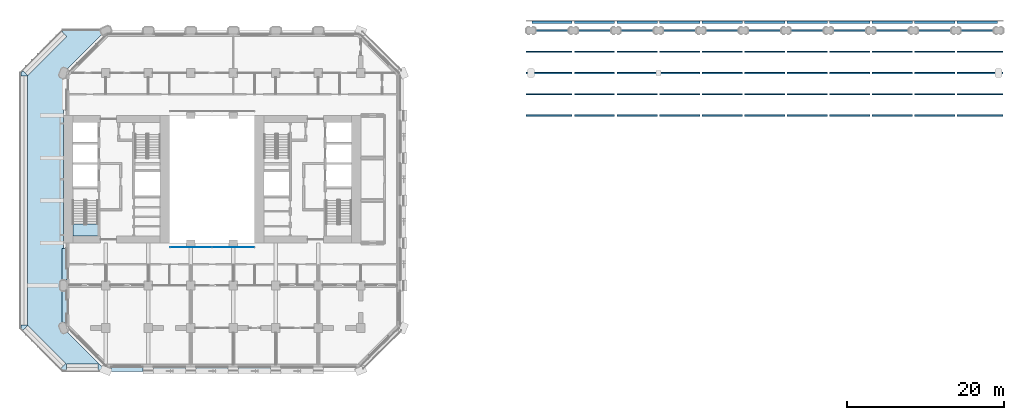
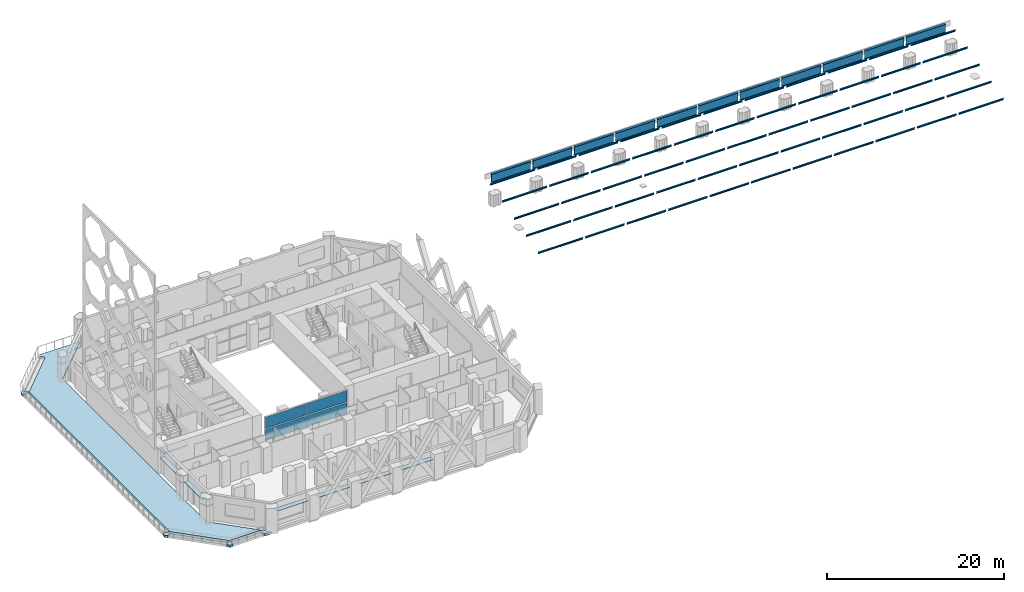
# One storey, part 5 of 14: 55 members, 11 beams, 10 plates, 2 slabs, 2 elements without a shape of their own.
"""IFC4 building model written with IfcOpenShell, lengths in metres."""

from ifc_helpers import new_model, si_unit, direction, frame, origin, origin_2d, place, context, subcontext, project, spatial, polyline, rectangle, i_section, outline, extrude, material, layer, layer_set, material_profile, profile_set, type_object, element, aggregate, save


model = new_model("IFC4")

# Units and contexts
model_context = context("Model", 3, precision=1e-05, world=origin(), true_north=direction((0.0, 1.0)))
body_context = subcontext(model_context, "Body", "Model", "MODEL_VIEW")
ifc_project = project(units=[si_unit("LENGTHUNIT", "METRE"), si_unit("AREAUNIT", "SQUARE_METRE"), si_unit("VOLUMEUNIT", "CUBIC_METRE"), si_unit("PLANEANGLEUNIT", "RADIAN"), si_unit("MASSUNIT", "GRAM", prefix="KILO")], contexts=[model_context])

# Site, building, storey
site_placement = place(None, origin())
site = spatial("IfcSite", under=ifc_project, at=site_placement, CompositionType="ELEMENT")
building_placement = place(site_placement, origin())
building = spatial("IfcBuilding", under=site, at=building_placement, Name="Tabaq Tower and Sports Hall", CompositionType="ELEMENT")
storey_placement = place(building_placement, frame((0.0, 0.0, 33.60009765625)))
storey = spatial("IfcBuildingStorey", under=building, at=storey_placement, Name="L06", CompositionType="ELEMENT", Elevation=33.60009765625)

# Beams
ifc_material_1 = material(Name="Steel S355", Category="steel")
ifc_material_profile_1 = material_profile(ifc_material_1, i_section(OverallWidth=0.300048828125, OverallDepth=1.199951171875, WebThickness=0.01611328125, FlangeThickness=0.030029296875, at=origin_2d()), Name="PG 1200x300x16x30")
ifc_profile_set_1 = profile_set([ifc_material_profile_1], Name="Steel S355")
beam_type = type_object("IfcBeamType", Name="HALL FASCIA BEAM PG 1200x300x16x30", PredefinedType="BEAM", material=ifc_profile_set_1)
beam_1_placement = place(storey_placement, frame((64.949951171875, 44.25, 2.856689453125), z_axis=(1.0, 0.0, 0.0), x_axis=(0.0, 1.0, 0.0)))
element("IfcBeam", 1, at=beam_1_placement, inside=storey, type_object=beam_type, Name="Roof fascia beam N01", PredefinedType="BEAM", context=body_context, shape_type="SweptSolid", body=[
    extrude(i_section(OverallWidth=0.300048828125, OverallDepth=1.199951171875, WebThickness=0.01611328125, FlangeThickness=0.030029296875, at=origin_2d()), origin(), (0.0, 0.0, 1.0), 5.10009765625),
])
beam_2_placement = place(storey_placement, frame((70.35009765625, 44.25, 2.856689453125), z_axis=(1.0, 0.0, 0.0), x_axis=(0.0, 1.0, 0.0)))
element("IfcBeam", 2, at=beam_2_placement, inside=storey, type_object=beam_type, Name="Roof fascia beam N02", PredefinedType="BEAM", context=body_context, shape_type="SweptSolid", body=[
    extrude(i_section(OverallWidth=0.300048828125, OverallDepth=1.199951171875, WebThickness=0.01611328125, FlangeThickness=0.030029296875, at=origin_2d()), origin(), (0.0, 0.0, 1.0), 5.099853515625),
])
for number, where, z_axis, x_axis, name in (
    (3, (75.75, 44.25, 2.856689453125), (1.0, 0.0, 0.0), (0.0, 1.0, 0.0), "Roof fascia beam N03"),
    (4, (81.14990234375, 44.25, 2.856689453125), (1.0, 0.0, 0.0), (0.0, 1.0, 0.0), "Roof fascia beam N04"),
):
    element("IfcBeam", number, at=place(storey_placement, frame(where, z_axis=z_axis, x_axis=x_axis)), inside=storey, type_object=beam_type, Name=name, PredefinedType="BEAM", context=body_context, shape_type="SweptSolid", body=[
        extrude(i_section(OverallWidth=0.300048828125, OverallDepth=1.199951171875, WebThickness=0.01611328125, FlangeThickness=0.030029296875, at=origin_2d()), origin(), (0.0, 0.0, 1.0), 5.10009765625),
    ])
beam_3_placement = place(storey_placement, frame((86.550048828125, 44.25, 2.856689453125), z_axis=(1.0, 0.0, 0.0), x_axis=(0.0, 1.0, 0.0)))
element("IfcBeam", 5, at=beam_3_placement, inside=storey, type_object=beam_type, Name="Roof fascia beam N05", PredefinedType="BEAM", context=body_context, shape_type="SweptSolid", body=[
    extrude(i_section(OverallWidth=0.300048828125, OverallDepth=1.199951171875, WebThickness=0.01611328125, FlangeThickness=0.030029296875, at=origin_2d()), origin(), (0.0, 0.0, 1.0), 5.099853515625),
])
beam_4_placement = place(storey_placement, frame((91.949951171875, 44.25, 2.856689453125), z_axis=(1.0, 0.0, 0.0), x_axis=(0.0, 1.0, 0.0)))
element("IfcBeam", 6, at=beam_4_placement, inside=storey, type_object=beam_type, Name="Roof fascia beam N06", PredefinedType="BEAM", context=body_context, shape_type="SweptSolid", body=[
    extrude(i_section(OverallWidth=0.300048828125, OverallDepth=1.199951171875, WebThickness=0.01611328125, FlangeThickness=0.030029296875, at=origin_2d()), origin(), (0.0, 0.0, 1.0), 5.10009765625),
])
beam_5_placement = place(storey_placement, frame((97.35009765625, 44.25, 2.856689453125), z_axis=(1.0, 0.0, 0.0), x_axis=(0.0, 1.0, 0.0)))
element("IfcBeam", 7, at=beam_5_placement, inside=storey, type_object=beam_type, Name="Roof fascia beam N07", PredefinedType="BEAM", context=body_context, shape_type="SweptSolid", body=[
    extrude(i_section(OverallWidth=0.300048828125, OverallDepth=1.199951171875, WebThickness=0.01611328125, FlangeThickness=0.030029296875, at=origin_2d()), origin(), (0.0, 0.0, 1.0), 5.099853515625),
])
for number, where, z_axis, x_axis, name in (
    (8, (102.75, 44.25, 2.856689453125), (1.0, 0.0, 0.0), (0.0, 1.0, 0.0), "Roof fascia beam N08"),
    (9, (108.14990234375, 44.25, 2.856689453125), (1.0, 0.0, 0.0), (0.0, 1.0, 0.0), "Roof fascia beam N09"),
):
    element("IfcBeam", number, at=place(storey_placement, frame(where, z_axis=z_axis, x_axis=x_axis)), inside=storey, type_object=beam_type, Name=name, PredefinedType="BEAM", context=body_context, shape_type="SweptSolid", body=[
        extrude(i_section(OverallWidth=0.300048828125, OverallDepth=1.199951171875, WebThickness=0.01611328125, FlangeThickness=0.030029296875, at=origin_2d()), origin(), (0.0, 0.0, 1.0), 5.10009765625),
    ])
beam_6_placement = place(storey_placement, frame((113.550048828125, 44.25, 2.856689453125), z_axis=(1.0, 0.0, 0.0), x_axis=(0.0, 1.0, 0.0)))
element("IfcBeam", 10, at=beam_6_placement, inside=storey, type_object=beam_type, Name="Roof fascia beam N10", PredefinedType="BEAM", context=body_context, shape_type="SweptSolid", body=[
    extrude(i_section(OverallWidth=0.300048828125, OverallDepth=1.199951171875, WebThickness=0.01611328125, FlangeThickness=0.030029296875, at=origin_2d()), origin(), (0.0, 0.0, 1.0), 5.099853515625),
])
beam_7_placement = place(storey_placement, frame((118.949951171875, 44.25, 2.856689453125), z_axis=(1.0, 0.0, 0.0), x_axis=(0.0, 1.0, 0.0)))
element("IfcBeam", 11, at=beam_7_placement, inside=storey, type_object=beam_type, Name="Roof fascia beam N11", PredefinedType="BEAM", context=body_context, shape_type="SweptSolid", body=[
    extrude(i_section(OverallWidth=0.300048828125, OverallDepth=1.199951171875, WebThickness=0.01611328125, FlangeThickness=0.030029296875, at=origin_2d()), origin(), (0.0, 0.0, 1.0), 5.10009765625),
])

# Members
ifc_material_2 = material(Name="Steel S355", Category="steel")
ifc_material_profile_2 = material_profile(ifc_material_2, i_section(OverallWidth=0.14599609375, OverallDepth=0.25146484375, WebThickness=0.006103515625, FlangeThickness=0.008544921875, FilletRadius=0.007568359375, at=origin_2d()), Name="UB 254x146x31")
ifc_profile_set_2 = profile_set([ifc_material_profile_2], Name="Steel S355")
member_type = type_object("IfcMemberType", Name="HALL PURLIN UB 254x146x31", PredefinedType="PURLIN", material=ifc_profile_set_2)
for number, where, z_axis, x_axis, name in (
    (12, (64.199951171875, 32.39990234375, -0.00390625), (1.0, 0.0, 0.0), (0.0, 0.965925826289, 0.258819045103), "Roof purlin 13-13"),
    (13, (64.199951171875, 35.10009765625, 0.719482421875), (1.0, 0.0, 0.0), (0.0, 0.965925826289, 0.258819045103), "Roof purlin 13-14"),
    (14, (64.199951171875, 37.800048828125, 1.44287109375), (1.0, 0.0, 0.0), (0.0, 0.965925826289, 0.258819045103), "Roof purlin 13-15"),
    (15, (64.199951171875, 40.5, 2.16650390625), (1.0, 0.0, 0.0), (0.0, 0.965925826289, 0.258819045103), "Roof purlin 13-16"),
    (16, (64.199951171875, 43.199951171875, 2.889892578125), (1.0, 0.0, 0.0), (0.0, 0.965925826289, 0.258819045103), "Roof purlin 13-17"),
):
    element("IfcMember", number, at=place(storey_placement, frame(where, z_axis=z_axis, x_axis=x_axis)), inside=storey, type_object=member_type, Name=name, PredefinedType="PURLIN", context=body_context, shape_type="SweptSolid", body=[
        extrude(i_section(OverallWidth=0.14599609375, OverallDepth=0.25146484375, WebThickness=0.006103515625, FlangeThickness=0.008544921875, FilletRadius=0.007568359375, at=origin_2d()), origin(), (0.0, 0.0, 1.0), 5.85009765625),
    ])
for number, where, z_axis, x_axis, name in (
    (17, (70.35009765625, 32.39990234375, -0.00390625), (1.0, 0.0, 0.0), (0.0, 0.965925826289, 0.258819045103), "Roof purlin 14-13"),
    (18, (70.35009765625, 35.10009765625, 0.719482421875), (1.0, 0.0, 0.0), (0.0, 0.965925826289, 0.258819045103), "Roof purlin 14-14"),
    (19, (70.35009765625, 37.800048828125, 1.44287109375), (1.0, 0.0, 0.0), (0.0, 0.965925826289, 0.258819045103), "Roof purlin 14-15"),
    (20, (70.35009765625, 40.5, 2.16650390625), (1.0, 0.0, 0.0), (0.0, 0.965925826289, 0.258819045103), "Roof purlin 14-16"),
    (21, (70.35009765625, 43.199951171875, 2.889892578125), (1.0, 0.0, 0.0), (0.0, 0.965925826289, 0.258819045103), "Roof purlin 14-17"),
):
    element("IfcMember", number, at=place(storey_placement, frame(where, z_axis=z_axis, x_axis=x_axis)), inside=storey, type_object=member_type, Name=name, PredefinedType="PURLIN", context=body_context, shape_type="SweptSolid", body=[
        extrude(i_section(OverallWidth=0.14599609375, OverallDepth=0.25146484375, WebThickness=0.006103515625, FlangeThickness=0.008544921875, FilletRadius=0.007568359375, at=origin_2d()), origin(), (0.0, 0.0, 1.0), 5.099853515625),
    ])
for number, where, z_axis, x_axis, name in (
    (22, (75.75, 32.39990234375, -0.00390625), (1.0, 0.0, 0.0), (0.0, 0.965925826289, 0.258819045103), "Roof purlin 15-13"),
    (23, (75.75, 35.10009765625, 0.719482421875), (1.0, 0.0, 0.0), (0.0, 0.965925826289, 0.258819045103), "Roof purlin 15-14"),
    (24, (75.75, 37.800048828125, 1.44287109375), (1.0, 0.0, 0.0), (0.0, 0.965925826289, 0.258819045103), "Roof purlin 15-15"),
    (25, (75.75, 40.5, 2.16650390625), (1.0, 0.0, 0.0), (0.0, 0.965925826289, 0.258819045103), "Roof purlin 15-16"),
    (26, (75.75, 43.199951171875, 2.889892578125), (1.0, 0.0, 0.0), (0.0, 0.965925826289, 0.258819045103), "Roof purlin 15-17"),
    (27, (81.14990234375, 32.39990234375, -0.00390625), (1.0, 0.0, 0.0), (0.0, 0.965925826289, 0.258819045103), "Roof purlin 16-13"),
    (28, (81.14990234375, 35.10009765625, 0.719482421875), (1.0, 0.0, 0.0), (0.0, 0.965925826289, 0.258819045103), "Roof purlin 16-14"),
    (29, (81.14990234375, 37.800048828125, 1.44287109375), (1.0, 0.0, 0.0), (0.0, 0.965925826289, 0.258819045103), "Roof purlin 16-15"),
    (30, (81.14990234375, 40.5, 2.16650390625), (1.0, 0.0, 0.0), (0.0, 0.965925826289, 0.258819045103), "Roof purlin 16-16"),
    (31, (81.14990234375, 43.199951171875, 2.889892578125), (1.0, 0.0, 0.0), (0.0, 0.965925826289, 0.258819045103), "Roof purlin 16-17"),
):
    element("IfcMember", number, at=place(storey_placement, frame(where, z_axis=z_axis, x_axis=x_axis)), inside=storey, type_object=member_type, Name=name, PredefinedType="PURLIN", context=body_context, shape_type="SweptSolid", body=[
        extrude(i_section(OverallWidth=0.14599609375, OverallDepth=0.25146484375, WebThickness=0.006103515625, FlangeThickness=0.008544921875, FilletRadius=0.007568359375, at=origin_2d()), origin(), (0.0, 0.0, 1.0), 5.10009765625),
    ])
for number, where, z_axis, x_axis, name in (
    (32, (86.550048828125, 32.39990234375, -0.00390625), (1.0, 0.0, 0.0), (0.0, 0.965925826289, 0.258819045103), "Roof purlin 17-13"),
    (33, (86.550048828125, 35.10009765625, 0.719482421875), (1.0, 0.0, 0.0), (0.0, 0.965925826289, 0.258819045103), "Roof purlin 17-14"),
    (34, (86.550048828125, 37.800048828125, 1.44287109375), (1.0, 0.0, 0.0), (0.0, 0.965925826289, 0.258819045103), "Roof purlin 17-15"),
    (35, (86.550048828125, 40.5, 2.16650390625), (1.0, 0.0, 0.0), (0.0, 0.965925826289, 0.258819045103), "Roof purlin 17-16"),
    (36, (86.550048828125, 43.199951171875, 2.889892578125), (1.0, 0.0, 0.0), (0.0, 0.965925826289, 0.258819045103), "Roof purlin 17-17"),
):
    element("IfcMember", number, at=place(storey_placement, frame(where, z_axis=z_axis, x_axis=x_axis)), inside=storey, type_object=member_type, Name=name, PredefinedType="PURLIN", context=body_context, shape_type="SweptSolid", body=[
        extrude(i_section(OverallWidth=0.14599609375, OverallDepth=0.25146484375, WebThickness=0.006103515625, FlangeThickness=0.008544921875, FilletRadius=0.007568359375, at=origin_2d()), origin(), (0.0, 0.0, 1.0), 5.099853515625),
    ])
for number, where, z_axis, x_axis, name in (
    (37, (91.949951171875, 32.39990234375, -0.00390625), (1.0, 0.0, 0.0), (0.0, 0.965925826289, 0.258819045103), "Roof purlin 18-13"),
    (38, (91.949951171875, 35.10009765625, 0.719482421875), (1.0, 0.0, 0.0), (0.0, 0.965925826289, 0.258819045103), "Roof purlin 18-14"),
    (39, (91.949951171875, 37.800048828125, 1.44287109375), (1.0, 0.0, 0.0), (0.0, 0.965925826289, 0.258819045103), "Roof purlin 18-15"),
    (40, (91.949951171875, 40.5, 2.16650390625), (1.0, 0.0, 0.0), (0.0, 0.965925826289, 0.258819045103), "Roof purlin 18-16"),
    (41, (91.949951171875, 43.199951171875, 2.889892578125), (1.0, 0.0, 0.0), (0.0, 0.965925826289, 0.258819045103), "Roof purlin 18-17"),
):
    element("IfcMember", number, at=place(storey_placement, frame(where, z_axis=z_axis, x_axis=x_axis)), inside=storey, type_object=member_type, Name=name, PredefinedType="PURLIN", context=body_context, shape_type="SweptSolid", body=[
        extrude(i_section(OverallWidth=0.14599609375, OverallDepth=0.25146484375, WebThickness=0.006103515625, FlangeThickness=0.008544921875, FilletRadius=0.007568359375, at=origin_2d()), origin(), (0.0, 0.0, 1.0), 5.10009765625),
    ])
for number, where, z_axis, x_axis, name in (
    (42, (97.35009765625, 32.39990234375, -0.00390625), (1.0, 0.0, 0.0), (0.0, 0.965925826289, 0.258819045103), "Roof purlin 19-13"),
    (43, (97.35009765625, 35.10009765625, 0.719482421875), (1.0, 0.0, 0.0), (0.0, 0.965925826289, 0.258819045103), "Roof purlin 19-14"),
    (44, (97.35009765625, 37.800048828125, 1.44287109375), (1.0, 0.0, 0.0), (0.0, 0.965925826289, 0.258819045103), "Roof purlin 19-15"),
    (45, (97.35009765625, 40.5, 2.16650390625), (1.0, 0.0, 0.0), (0.0, 0.965925826289, 0.258819045103), "Roof purlin 19-16"),
    (46, (97.35009765625, 43.199951171875, 2.889892578125), (1.0, 0.0, 0.0), (0.0, 0.965925826289, 0.258819045103), "Roof purlin 19-17"),
):
    element("IfcMember", number, at=place(storey_placement, frame(where, z_axis=z_axis, x_axis=x_axis)), inside=storey, type_object=member_type, Name=name, PredefinedType="PURLIN", context=body_context, shape_type="SweptSolid", body=[
        extrude(i_section(OverallWidth=0.14599609375, OverallDepth=0.25146484375, WebThickness=0.006103515625, FlangeThickness=0.008544921875, FilletRadius=0.007568359375, at=origin_2d()), origin(), (0.0, 0.0, 1.0), 5.099853515625),
    ])
for number, where, z_axis, x_axis, name in (
    (47, (102.75, 32.39990234375, -0.00390625), (1.0, 0.0, 0.0), (0.0, 0.965925826289, 0.258819045103), "Roof purlin 20-13"),
    (48, (102.75, 35.10009765625, 0.719482421875), (1.0, 0.0, 0.0), (0.0, 0.965925826289, 0.258819045103), "Roof purlin 20-14"),
    (49, (102.75, 37.800048828125, 1.44287109375), (1.0, 0.0, 0.0), (0.0, 0.965925826289, 0.258819045103), "Roof purlin 20-15"),
    (50, (102.75, 40.5, 2.16650390625), (1.0, 0.0, 0.0), (0.0, 0.965925826289, 0.258819045103), "Roof purlin 20-16"),
    (51, (102.75, 43.199951171875, 2.889892578125), (1.0, 0.0, 0.0), (0.0, 0.965925826289, 0.258819045103), "Roof purlin 20-17"),
    (52, (108.14990234375, 32.39990234375, -0.00390625), (1.0, 0.0, 0.0), (0.0, 0.965925826289, 0.258819045103), "Roof purlin 21-13"),
    (53, (108.14990234375, 35.10009765625, 0.719482421875), (1.0, 0.0, 0.0), (0.0, 0.965925826289, 0.258819045103), "Roof purlin 21-14"),
    (54, (108.14990234375, 37.800048828125, 1.44287109375), (1.0, 0.0, 0.0), (0.0, 0.965925826289, 0.258819045103), "Roof purlin 21-15"),
    (55, (108.14990234375, 40.5, 2.16650390625), (1.0, 0.0, 0.0), (0.0, 0.965925826289, 0.258819045103), "Roof purlin 21-16"),
    (56, (108.14990234375, 43.199951171875, 2.889892578125), (1.0, 0.0, 0.0), (0.0, 0.965925826289, 0.258819045103), "Roof purlin 21-17"),
):
    element("IfcMember", number, at=place(storey_placement, frame(where, z_axis=z_axis, x_axis=x_axis)), inside=storey, type_object=member_type, Name=name, PredefinedType="PURLIN", context=body_context, shape_type="SweptSolid", body=[
        extrude(i_section(OverallWidth=0.14599609375, OverallDepth=0.25146484375, WebThickness=0.006103515625, FlangeThickness=0.008544921875, FilletRadius=0.007568359375, at=origin_2d()), origin(), (0.0, 0.0, 1.0), 5.10009765625),
    ])
for number, where, z_axis, x_axis, name in (
    (57, (113.550048828125, 32.39990234375, -0.00390625), (1.0, 0.0, 0.0), (0.0, 0.965925826289, 0.258819045103), "Roof purlin 22-13"),
    (58, (113.550048828125, 35.10009765625, 0.719482421875), (1.0, 0.0, 0.0), (0.0, 0.965925826289, 0.258819045103), "Roof purlin 22-14"),
    (59, (113.550048828125, 37.800048828125, 1.44287109375), (1.0, 0.0, 0.0), (0.0, 0.965925826289, 0.258819045103), "Roof purlin 22-15"),
    (60, (113.550048828125, 40.5, 2.16650390625), (1.0, 0.0, 0.0), (0.0, 0.965925826289, 0.258819045103), "Roof purlin 22-16"),
    (61, (113.550048828125, 43.199951171875, 2.889892578125), (1.0, 0.0, 0.0), (0.0, 0.965925826289, 0.258819045103), "Roof purlin 22-17"),
):
    element("IfcMember", number, at=place(storey_placement, frame(where, z_axis=z_axis, x_axis=x_axis)), inside=storey, type_object=member_type, Name=name, PredefinedType="PURLIN", context=body_context, shape_type="SweptSolid", body=[
        extrude(i_section(OverallWidth=0.14599609375, OverallDepth=0.25146484375, WebThickness=0.006103515625, FlangeThickness=0.008544921875, FilletRadius=0.007568359375, at=origin_2d()), origin(), (0.0, 0.0, 1.0), 5.099853515625),
    ])
for number, where, z_axis, x_axis, name in (
    (62, (118.949951171875, 32.39990234375, -0.00390625), (1.0, 0.0, 0.0), (0.0, 0.965925826289, 0.258819045103), "Roof purlin 23-13"),
    (63, (118.949951171875, 35.10009765625, 0.719482421875), (1.0, 0.0, 0.0), (0.0, 0.965925826289, 0.258819045103), "Roof purlin 23-14"),
    (64, (118.949951171875, 37.800048828125, 1.44287109375), (1.0, 0.0, 0.0), (0.0, 0.965925826289, 0.258819045103), "Roof purlin 23-15"),
    (65, (118.949951171875, 40.5, 2.16650390625), (1.0, 0.0, 0.0), (0.0, 0.965925826289, 0.258819045103), "Roof purlin 23-16"),
    (66, (118.949951171875, 43.199951171875, 2.889892578125), (1.0, 0.0, 0.0), (0.0, 0.965925826289, 0.258819045103), "Roof purlin 23-17"),
):
    element("IfcMember", number, at=place(storey_placement, frame(where, z_axis=z_axis, x_axis=x_axis)), inside=storey, type_object=member_type, Name=name, PredefinedType="PURLIN", context=body_context, shape_type="SweptSolid", body=[
        extrude(i_section(OverallWidth=0.14599609375, OverallDepth=0.25146484375, WebThickness=0.006103515625, FlangeThickness=0.008544921875, FilletRadius=0.007568359375, at=origin_2d()), origin(), (0.0, 0.0, 1.0), 5.85009765625),
    ])

# Curtain wall, plates
ifc_material_3 = material(Name="Aluminium alloy 6063-T6 framed glazing", Category="aluminium")
curtain_wall_type = type_object("IfcCurtainWallType", Name="CW1 curtain wall", PredefinedType="USERDEFINED", material=ifc_material_3)
curtain_wall_placement = place(storey_placement, origin())
curtain_wall = element("IfcCurtainWall", 67, at=curtain_wall_placement, inside=storey, type_object=curtain_wall_type, Name="Atrium glazing L06 S", ObjectType="ATRIUM ENCLOSURE", PredefinedType="USERDEFINED")
ifc_material_4 = material(Name="Clear low-emissivity glass 28 mm", Category="glass")
ifc_layer_1 = layer(ifc_material_4, 0.028076171875)
ifc_layer_set_1 = layer_set([ifc_layer_1], Name="CW1 glass panel 28")
plate_type_1 = type_object("IfcPlateType", Name="CW1 glass panel 28", PredefinedType="CURTAIN_PANEL", material=ifc_layer_set_1)
plate_1_placement = place(storey_placement, frame((21.614990234375, 15.64990234375, 0.139892578125), z_axis=(0.0, 0.0, 1.0), x_axis=(1.0, 0.0, 0.0)))
plate_1 = element("IfcPlate", 68, at=plate_1_placement, type_object=plate_type_1, Name="CW1 panel 1.1", PredefinedType="CURTAIN_PANEL", context=body_context, shape_type="SweptSolid", body=[
    extrude(rectangle(XDim=5.31005859375, YDim=0.028076171875, at=origin_2d()), origin(), (0.0, 0.0, 1.0), 1.5400390625),
])
plate_2_placement = place(storey_placement, frame((21.614990234375, 15.64990234375, 1.81982421875), z_axis=(0.0, 0.0, 1.0), x_axis=(1.0, 0.0, 0.0)))
plate_2 = element("IfcPlate", 69, at=plate_2_placement, type_object=plate_type_1, Name="CW1 panel 1.2", PredefinedType="CURTAIN_PANEL", context=body_context, shape_type="SweptSolid", body=[
    extrude(rectangle(XDim=5.31005859375, YDim=0.028076171875, at=origin_2d()), origin(), (0.0, 0.0, 1.0), 1.5400390625),
])
plate_3_placement = place(storey_placement, frame((26.985107421875, 15.64990234375, 0.139892578125), z_axis=(0.0, 0.0, 1.0), x_axis=(1.0, 0.0, 0.0)))
plate_3 = element("IfcPlate", 70, at=plate_3_placement, type_object=plate_type_1, Name="CW1 panel 2.1", PredefinedType="CURTAIN_PANEL", context=body_context, shape_type="SweptSolid", body=[
    extrude(rectangle(XDim=5.31005859375, YDim=0.028076171875, at=origin_2d()), origin(), (0.0, 0.0, 1.0), 1.5400390625),
])
plate_4_placement = place(storey_placement, frame((26.985107421875, 15.64990234375, 1.81982421875), z_axis=(0.0, 0.0, 1.0), x_axis=(1.0, 0.0, 0.0)))
plate_4 = element("IfcPlate", 71, at=plate_4_placement, type_object=plate_type_1, Name="CW1 panel 2.2", PredefinedType="CURTAIN_PANEL", context=body_context, shape_type="SweptSolid", body=[
    extrude(rectangle(XDim=5.31005859375, YDim=0.028076171875, at=origin_2d()), origin(), (0.0, 0.0, 1.0), 1.5400390625),
])
aggregate(curtain_wall, [plate_1, plate_2, plate_3, plate_4])

# Stair, slab
ifc_material_5 = material(Name="Concrete C40/50", Category="concrete")
stair_type = type_object("IfcStairType", Name="Exit stair", PredefinedType="HALF_TURN_STAIR", material=ifc_material_5)
stair_placement = place(storey_placement, origin())
stair = element("IfcStair", 72, at=stair_placement, inside=storey, type_object=stair_type, Name="L06 Exit stair ST1", PredefinedType="HALF_TURN_STAIR")
ifc_material_6 = material(Name="Concrete C40/50", Category="concrete")
ifc_layer_2 = layer(ifc_material_6, 0.199951171875)
ifc_layer_set_2 = layer_set([ifc_layer_2], Name="Exit stair landing")
slab_type_1 = type_object("IfcSlabType", Name="Exit stair landing", PredefinedType="LANDING", material=ifc_layer_set_2)
slab_1_placement = place(storey_placement, frame((0.0, 0.0, 1.699951171875)))
slab_1 = element("IfcSlab", 73, at=slab_1_placement, type_object=slab_type_1, Name="ST1 landing 1", PredefinedType="LANDING", context=body_context, shape_type="SweptSolid", body=[
    extrude(outline(polyline([(6.60009765625, 18.60009765625), (6.60009765625, 17.10009765625), (9.800048828125, 17.10009765625), (9.800048828125, 18.60009765625), (6.60009765625, 18.60009765625)])), origin(), (0.0, 0.0, 1.0), 0.199951171875),
])
aggregate(stair, [slab_1])

# Slab
ifc_material_7 = material(Name="Concrete C40/50", Category="concrete")
ifc_layer_3 = layer(ifc_material_7, 0.300048828125)
ifc_layer_set_3 = layer_set([ifc_layer_3], Name="PT TERRACE SLAB 300 C40/50")
slab_type_2 = type_object("IfcSlabType", Name="PT TERRACE SLAB 300 C40/50", PredefinedType="FLOOR", material=ifc_layer_set_3)
slab_2_placement = place(storey_placement, frame((0.0, 0.0, -0.300048828125)))
element("IfcSlab", 74, at=slab_2_placement, inside=storey, type_object=slab_type_2, Name="Terrace Slab L06", PredefinedType="FLOOR", context=body_context, shape_type="SweptSolid", body=[
    extrude(outline(polyline([(0.0, 5.802001953125), (0.0, 5.39990234375), (0.284423828125, 5.11572265625), (0.814697265625, 5.64599609375), (0.88525390625, 5.716796875), (5.716796875, 0.88525390625), (5.64599609375, 0.814697265625), (5.11572265625, 0.284423828125), (5.39990234375, 0.0), (5.802001953125, 0.0), (5.802001953125, 0.75), (5.802001953125, 0.85009765625), (9.7880859375, 0.85009765625), (9.7880859375, 0.75), (9.7880859375, 0.0), (10.800048828125, 0.0), (5.39990234375, 5.39990234375), (5.39990234375, 37.800048828125), (10.800048828125, 43.199951171875), (5.39990234375, 43.199951171875), (5.22314453125, 43.023193359375), (5.753662109375, 42.492919921875), (5.82421875, 42.422119140625), (0.88525390625, 37.483154296875), (0.284423828125, 38.084228515625), (0.0, 37.800048828125), (0.0, 37.39794921875), (0.75, 37.39794921875), (0.85009765625, 37.39794921875), (0.85009765625, 5.802001953125), (0.75, 5.802001953125), (0.0, 5.802001953125)])), origin(), (0.0, 0.0, 1.0), 0.300048828125),
])

# Plates
ifc_material_8 = material(Name="White precast concrete C60/75 blade", Category="concrete")
ifc_layer_4 = layer(ifc_material_8, 0.10009765625)
ifc_layer_set_4 = layer_set([ifc_layer_4], Name="White precast concrete C60/75 sunshade 100")
plate_type_2 = type_object("IfcPlateType", Name="White precast concrete C60/75 sunshade 100", PredefinedType="USERDEFINED", material=ifc_layer_set_4)
for number, where, z_axis, x_axis, name in (
    (75, (13.5, 0.14990234375, 2.599853515625), (0.0, 0.0, 1.0), (1.0, 0.0, 0.0), "Sunshade L06 S"),
    (76, (18.89990234375, 0.14990234375, 2.599853515625), (0.0, 0.0, 1.0), (1.0, 0.0, 0.0), "Sunshade L06 S"),
    (77, (24.300048828125, 0.14990234375, 2.599853515625), (0.0, 0.0, 1.0), (1.0, 0.0, 0.0), "Sunshade L06 S"),
    (78, (29.699951171875, 0.14990234375, 2.599853515625), (0.0, 0.0, 1.0), (1.0, 0.0, 0.0), "Sunshade L06 S"),
    (79, (5.550048828125, 13.5, 2.599853515625), (0.0, 0.0, 1.0), (0.0, -1.0, 0.0), "Sunshade L06 W"),
    (80, (5.550048828125, 8.10009765625, 2.599853515625), (0.0, 0.0, 1.0), (0.0, -1.0, 0.0), "Sunshade L06 W"),
):
    element("IfcPlate", number, at=place(storey_placement, frame(where, z_axis=z_axis, x_axis=x_axis)), inside=storey, type_object=plate_type_2, Name=name, ObjectType="SUNSHADE", PredefinedType="USERDEFINED", context=body_context, shape_type="SweptSolid", body=[
        extrude(rectangle(XDim=4.050048828125, YDim=0.60009765625, at=origin_2d()), origin(), (0.0, 0.0, 1.0), 0.10009765625),
    ])

save(model, "model.ifc")
